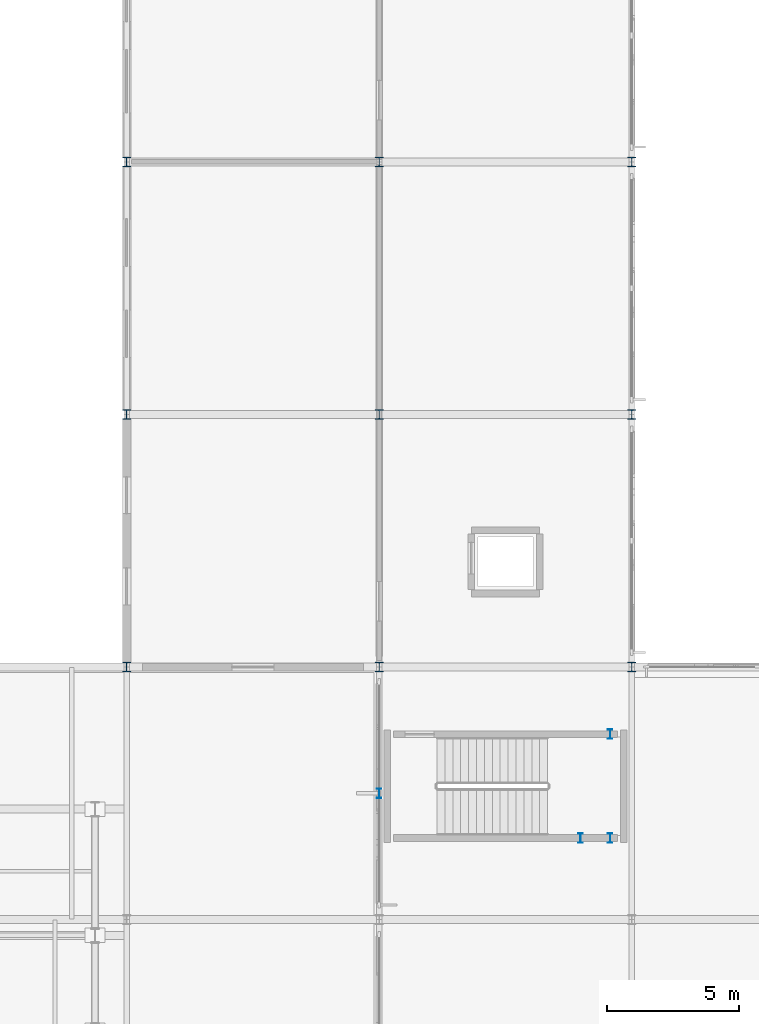
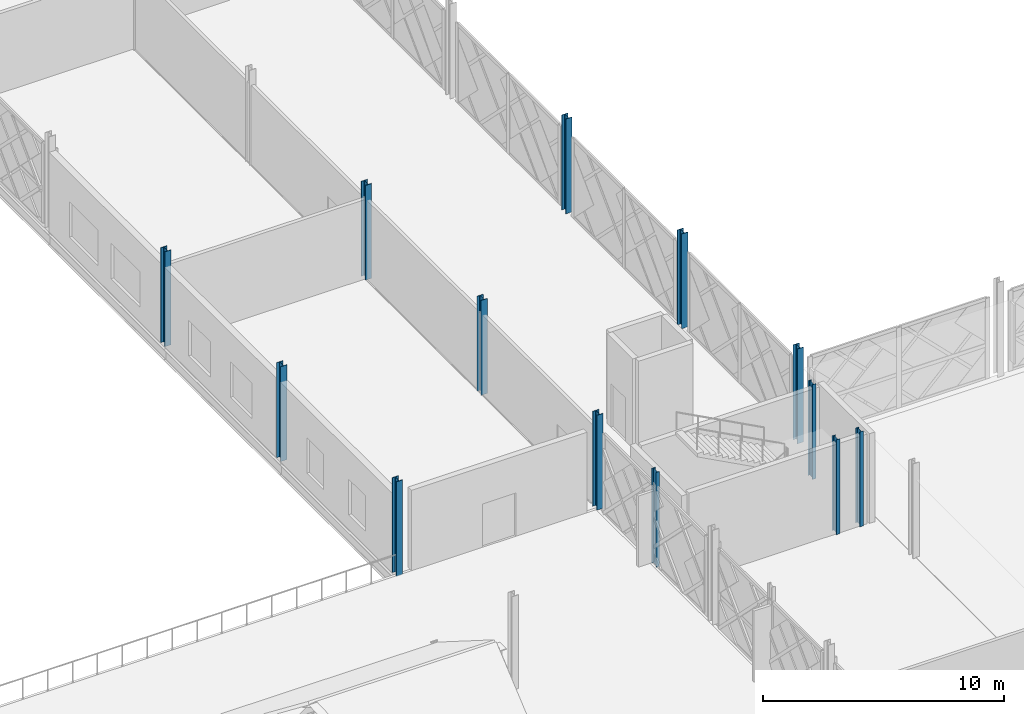
# One storey, part 2 of 77: 13 columns.
"""IFC4 building model written with IfcOpenShell, lengths in metres."""

from ifc_helpers import new_model, si_unit, direction, frame, origin, origin_2d, place, context, subcontext, project, spatial, i_section, extrude, material, material_profile, profile_set, type_object, element, save


model = new_model("IFC4")

# Units and contexts
model_context = context("Model", 3, precision=1e-05, world=origin(), true_north=direction((0.0, 1.0)))
body_context = subcontext(model_context, "Body", "Model", "MODEL_VIEW")
ifc_project = project(units=[si_unit("LENGTHUNIT", "METRE"), si_unit("AREAUNIT", "SQUARE_METRE"), si_unit("VOLUMEUNIT", "CUBIC_METRE"), si_unit("PLANEANGLEUNIT", "RADIAN"), si_unit("MASSUNIT", "GRAM", prefix="KILO")], contexts=[model_context])

# Site, building, storey
site_placement = place(None, origin())
site = spatial("IfcSite", under=ifc_project, at=site_placement, CompositionType="ELEMENT")
building_placement = place(site_placement, origin())
building = spatial("IfcBuilding", under=site, at=building_placement, Name="Zevrakil Square Congress Hotel", CompositionType="ELEMENT")
storey_placement = place(building_placement, frame((0.0, 0.0, 9.89990234375)))
storey = spatial("IfcBuildingStorey", under=building, at=storey_placement, Name="L03", CompositionType="ELEMENT", Elevation=9.89990234375)

# Columns
ifc_material_1 = material(Name="Steel S355", Category="steel")
ifc_material_profile_1 = material_profile(ifc_material_1, i_section(OverallWidth=0.300048828125, OverallDepth=0.360107421875, WebThickness=0.012451171875, FlangeThickness=0.0224609375, FilletRadius=0.027099609375, at=origin_2d()), Name="HEB 360")
ifc_profile_set_1 = profile_set([ifc_material_profile_1], Name="Steel S355")
column_type_1 = type_object("IfcColumnType", Name="COL-HEB360", PredefinedType="COLUMN", material=ifc_profile_set_1)
for number, where, z_axis, x_axis, name in (
    (1, (45.60009765625, 45.60009765625, 0.0), (0.0, 0.0, 1.0), (1.0, 0.0, 0.0), "L03 column C-072"),
    (2, (45.60009765625, 55.199951171875, 0.0), (0.0, 0.0, 1.0), (1.0, 0.0, 0.0), "L03 column C-073"),
    (3, (45.60009765625, 64.800048828125, 0.0), (0.0, 0.0, 1.0), (1.0, 0.0, 0.0), "L03 column C-074"),
    (4, (55.199951171875, 45.60009765625, 0.0), (0.0, 0.0, 1.0), (1.0, 0.0, 0.0), "L03 column C-090"),
    (5, (55.199951171875, 55.199951171875, 0.0), (0.0, 0.0, 1.0), (1.0, 0.0, 0.0), "L03 column C-091"),
    (6, (55.199951171875, 64.800048828125, 0.0), (0.0, 0.0, 1.0), (1.0, 0.0, 0.0), "L03 column C-092"),
    (7, (64.800048828125, 45.60009765625, 0.0), (0.0, 0.0, 1.0), (1.0, 0.0, 0.0), "L03 column C-104"),
    (8, (64.800048828125, 55.199951171875, 0.0), (0.0, 0.0, 1.0), (1.0, 0.0, 0.0), "L03 column C-105"),
    (9, (64.800048828125, 64.800048828125, 0.0), (0.0, 0.0, 1.0), (1.0, 0.0, 0.0), "L03 column C-106"),
):
    element("IfcColumn", number, at=place(storey_placement, frame(where, z_axis=z_axis, x_axis=x_axis)), inside=storey, type_object=column_type_1, Name=name, PredefinedType="COLUMN", context=body_context, shape_type="SweptSolid", body=[
        extrude(i_section(OverallWidth=0.300048828125, OverallDepth=0.360107421875, WebThickness=0.012451171875, FlangeThickness=0.0224609375, FilletRadius=0.027099609375, at=origin_2d()), origin(), (0.0, 0.0, 1.0), 4.800048828125),
    ])
ifc_material_2 = material(Name="Steel S355", Category="steel")
ifc_material_profile_2 = material_profile(ifc_material_2, i_section(OverallWidth=0.169921875, OverallDepth=0.360107421875, WebThickness=0.008056640625, FlangeThickness=0.0126953125, FilletRadius=0.01806640625, at=origin_2d()), Name="IPE 360")
ifc_profile_set_2 = profile_set([ifc_material_profile_2], Name="Steel S355")
column_type_2 = type_object("IfcColumnType", Name="COL-PILASTER-SHS180", PredefinedType="PILASTER", material=ifc_profile_set_2)
for number, where, z_axis, x_axis, name in (
    (10, (55.199951171875, 40.800048828125, 0.0), (0.0, 0.0, 1.0), (1.0, 0.0, 0.0), "L03 pilaster PL-04"),
    (11, (62.85009765625, 39.10009765625, 0.0), (0.0, 0.0, 1.0), (1.0, 0.0, 0.0), "L03 ST04 stair shaft post 1"),
    (12, (63.97998046875, 39.10009765625, 0.0), (0.0, 0.0, 1.0), (1.0, 0.0, 0.0), "L03 ST04 stair shaft post 2"),
    (13, (63.97998046875, 43.050048828125, 0.0), (0.0, 0.0, 1.0), (1.0, 0.0, 0.0), "L03 ST04 stair shaft post 3"),
):
    element("IfcColumn", number, at=place(storey_placement, frame(where, z_axis=z_axis, x_axis=x_axis)), inside=storey, type_object=column_type_2, Name=name, PredefinedType="PILASTER", context=body_context, shape_type="SweptSolid", body=[
        extrude(i_section(OverallWidth=0.169921875, OverallDepth=0.360107421875, WebThickness=0.008056640625, FlangeThickness=0.0126953125, FilletRadius=0.01806640625, at=origin_2d()), origin(), (0.0, 0.0, 1.0), 4.800048828125),
    ])

save(model, "model.ifc")
